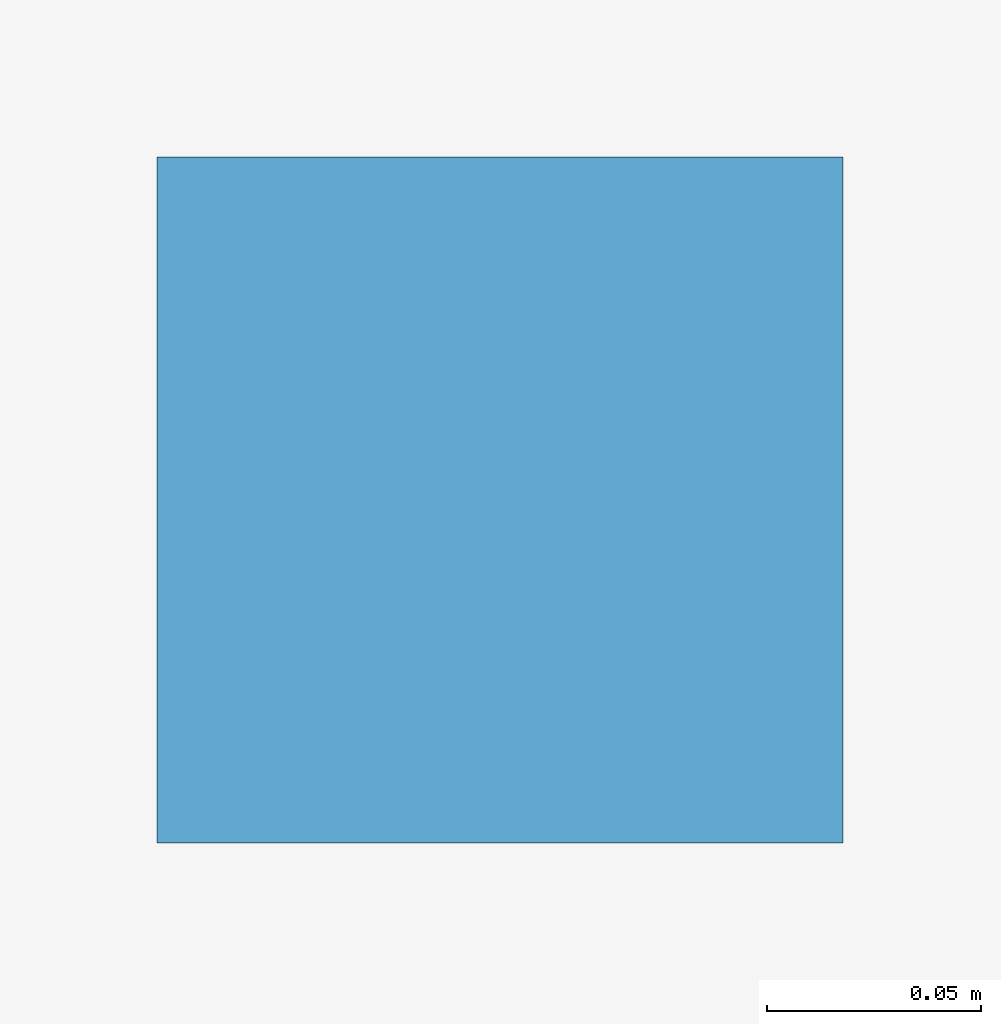
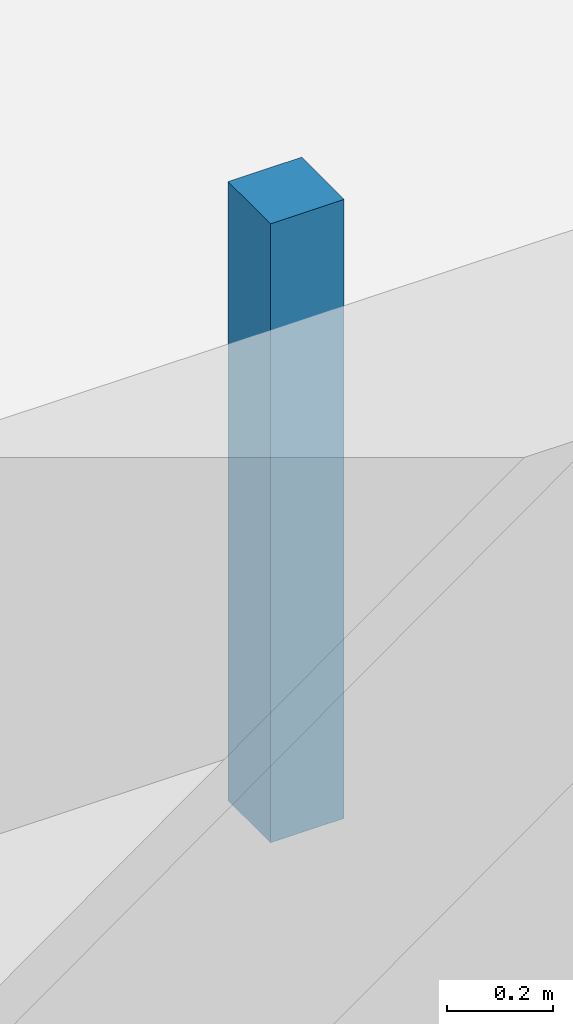
# One storey, part 144 of 155: 1 discrete accessory.
"""IFC4 building model written with IfcOpenShell, lengths in metres."""

from ifc_helpers import new_model, si_unit, direction, frame, origin, origin_2d, place, context, subcontext, project, spatial, rectangle, extrude, material, type_object, element, save


model = new_model("IFC4")

# Units and contexts
model_context = context("Model", 3, precision=1e-05, world=origin(), true_north=direction((0.0, 1.0)))
body_context = subcontext(model_context, "Body", "Model", "MODEL_VIEW")
ifc_project = project(units=[si_unit("LENGTHUNIT", "METRE"), si_unit("AREAUNIT", "SQUARE_METRE"), si_unit("VOLUMEUNIT", "CUBIC_METRE"), si_unit("PLANEANGLEUNIT", "RADIAN"), si_unit("MASSUNIT", "GRAM", prefix="KILO")], contexts=[model_context])

# Site, building, storey
site_placement = place(None, origin())
site = spatial("IfcSite", under=ifc_project, at=site_placement, CompositionType="ELEMENT")
building_placement = place(site_placement, origin())
building = spatial("IfcBuilding", under=site, at=building_placement, Name="Tazarka Park Arena", CompositionType="ELEMENT")
storey_placement = place(building_placement, frame((0.0, 0.0, 5.39990234375)))
storey = spatial("IfcBuildingStorey", under=building, at=storey_placement, Name="L01", CompositionType="ELEMENT", Elevation=5.39990234375)

# Discrete accessory
ifc_material = material(Name="Steel S355", Category="steel")
discrete_accessory_type = type_object("IfcDiscreteAccessoryType", Name="BRK-01", PredefinedType="BRACKET", material=ifc_material)
discrete_accessory_placement = place(storey_placement, frame((92.0, 120.5576171875, 3.10009765625), z_axis=(0.0, 0.0, 1.0), x_axis=(1.0, 0.0, 0.0)))
element("IfcDiscreteAccessory", 1, at=discrete_accessory_placement, inside=storey, type_object=discrete_accessory_type, Name="CHG-L01-005", PredefinedType="BRACKET", context=body_context, shape_type="SweptSolid", body=[
    extrude(rectangle(XDim=0.159912109375, YDim=0.159912109375, at=origin_2d()), origin(), (0.0, 0.0, 1.0), 1.419921875),
])

save(model, "model.ifc")
